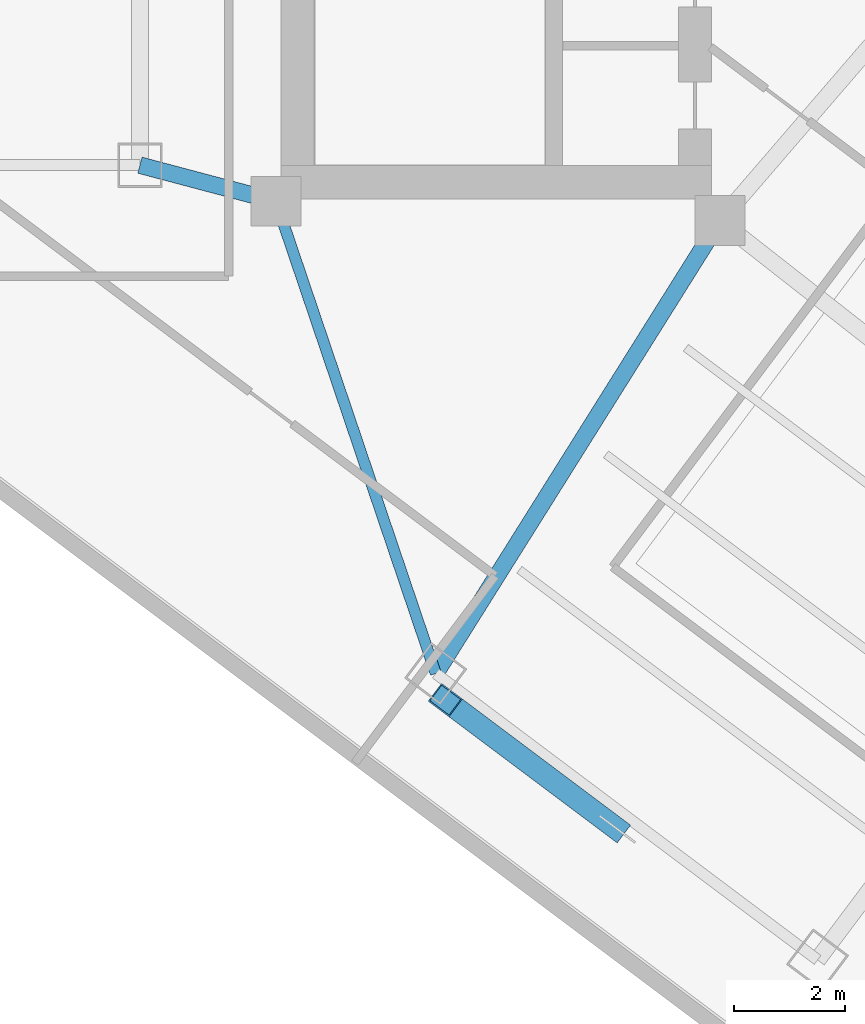
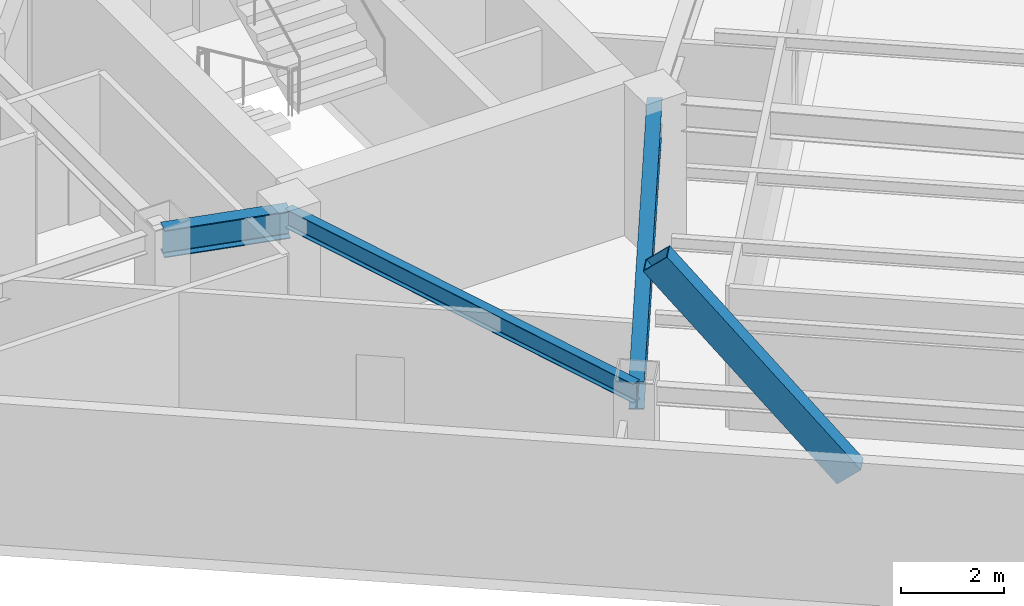
# One storey, part 3 of 28: 3 beams, 1 member.
"""IFC4 building model written with IfcOpenShell, lengths in metres."""

from ifc_helpers import new_model, si_unit, direction, frame, origin, origin_2d, place, context, subcontext, project, spatial, hollow_rectangle, i_section, extrude, material, material_profile, profile_set, type_object, element, save


model = new_model("IFC4")

# Units and contexts
model_context = context("Model", 3, precision=1e-05, world=origin(), true_north=direction((0.0, 1.0)))
body_context = subcontext(model_context, "Body", "Model", "MODEL_VIEW")
ifc_project = project(units=[si_unit("LENGTHUNIT", "METRE"), si_unit("AREAUNIT", "SQUARE_METRE"), si_unit("VOLUMEUNIT", "CUBIC_METRE"), si_unit("PLANEANGLEUNIT", "RADIAN"), si_unit("MASSUNIT", "GRAM", prefix="KILO")], contexts=[model_context])

# Site, building, storey
site_placement = place(None, origin())
site = spatial("IfcSite", under=ifc_project, at=site_placement, CompositionType="ELEMENT")
building_placement = place(site_placement, origin())
building = spatial("IfcBuilding", under=site, at=building_placement, Name="Hatsunagi Terrace Concourse", CompositionType="ELEMENT")
storey_placement = place(building_placement, frame((0.0, 0.0, 170.85009765625)))
storey = spatial("IfcBuildingStorey", under=building, at=storey_placement, Name="L45", CompositionType="ELEMENT", Elevation=170.85009765625)

# Beams
ifc_material_1 = material(Name="Steel SN490B", Category="steel")
ifc_material_profile_1 = material_profile(ifc_material_1, i_section(OverallWidth=0.300048828125, OverallDepth=0.64990234375, WebThickness=0.012939453125, FlangeThickness=0.02197265625, FilletRadius=0.01806640625, at=origin_2d()), Name="H-650x300x13x22")
ifc_profile_set_1 = profile_set([ifc_material_profile_1], Name="Steel SN490B")
beam_type_1 = type_object("IfcBeamType", Name="OfficeLowGirder_H_650x300", PredefinedType="BEAM", material=ifc_profile_set_1)
beam_1_placement = place(storey_placement, frame((33.35009765625, 25.199951171875, 3.02490234375), z_axis=(0.966569840116, -0.256403479262, 0.0), x_axis=(0.256403479262, 0.966569840116, 0.0)))
element("IfcBeam", 1, at=beam_1_placement, inside=storey, type_object=beam_type_1, Name="Beam G-05 BM-L45-K2CB", PredefinedType="BEAM", context=body_context, shape_type="SweptSolid", body=[
    extrude(i_section(OverallWidth=0.300048828125, OverallDepth=0.64990234375, WebThickness=0.012939453125, FlangeThickness=0.02197265625, FilletRadius=0.01806640625, at=origin_2d()), origin(), (0.0, 0.0, 1.0), 2.53466796875),
])
beam_2_placement = place(storey_placement, frame((38.679931640625, 16.0400390625, 3.02490234375), z_axis=(0.531503907049, 0.847055840421, 0.0), x_axis=(-0.847055840421, 0.531503907049, 0.0)))
element("IfcBeam", 2, at=beam_2_placement, inside=storey, type_object=beam_type_1, Name="Beam G-05 BM-L45-SET-1A", PredefinedType="BEAM", context=body_context, shape_type="SweptSolid", body=[
    extrude(i_section(OverallWidth=0.300048828125, OverallDepth=0.64990234375, WebThickness=0.012939453125, FlangeThickness=0.02197265625, FilletRadius=0.01806640625, at=origin_2d()), origin(), (0.0, 0.0, 1.0), 9.63330078125),
])
ifc_material_2 = material(Name="Steel SN490B", Category="steel")
ifc_material_profile_2 = material_profile(ifc_material_2, i_section(OverallWidth=0.199951171875, OverallDepth=0.449951171875, WebThickness=0.009033203125, FlangeThickness=0.013916015625, FilletRadius=0.01611328125, at=origin_2d()), Name="H-450x200x9x14")
ifc_profile_set_2 = profile_set([ifc_material_profile_2], Name="Steel SN490B")
beam_type_2 = type_object("IfcBeamType", Name="PerimeterSpandrel_H_450x200", PredefinedType="SPANDREL", material=ifc_profile_set_2)
beam_3_placement = place(storey_placement, frame((35.800048828125, 24.550048828125, 3.125), z_axis=(0.320553412271, -0.947230441805, 0.0), x_axis=(0.947230441805, 0.320553412271, 0.0)))
element("IfcBeam", 3, at=beam_3_placement, inside=storey, type_object=beam_type_2, Name="Beam SP-02 BM-L45-SE-SW0", PredefinedType="SPANDREL", context=body_context, shape_type="SweptSolid", body=[
    extrude(i_section(OverallWidth=0.199951171875, OverallDepth=0.449951171875, WebThickness=0.009033203125, FlangeThickness=0.013916015625, FilletRadius=0.01611328125, at=origin_2d()), origin(), (0.0, 0.0, 1.0), 8.984130859375),
])

# Member
ifc_material_3 = material(Name="Steel SN490B", Category="steel")
ifc_material_profile_3 = material_profile(ifc_material_3, hollow_rectangle(XDim=0.39990234375, YDim=0.60009765625, WallThickness=0.02490234375, at=origin_2d()), Name="RHS-600x400x25")
ifc_profile_set_3 = profile_set([ifc_material_profile_3], Name="Steel SN490B")
member_type = type_object("IfcMemberType", Name="PerimeterXBrace_Mid_RHS_600x400x25", PredefinedType="BRACE", material=ifc_profile_set_3)
member_placement = place(storey_placement, frame((38.85205078125, 15.56103515625, 6.510009765625), z_axis=(0.500310678734, -0.375142307332, -0.780357273301), x_axis=(0.599907166999, 0.800069616336, 0.0)))
element("IfcMember", 4, at=member_placement, inside=storey, type_object=member_type, Name="Perimeter X-Brace Split Upper XB-02 XB-L44-SEB1", PredefinedType="BRACE", context=body_context, shape_type="SweptSolid", body=[
    extrude(hollow_rectangle(XDim=0.39990234375, YDim=0.60009765625, WallThickness=0.02490234375, at=origin_2d()), origin(), (0.0, 0.0, 1.0), 6.056396484375),
])

save(model, "model.ifc")
